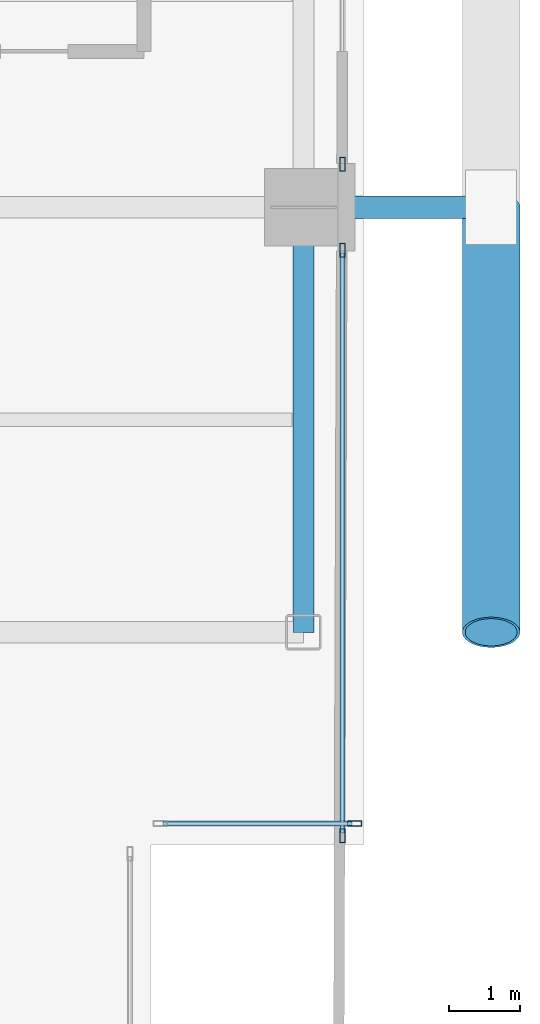
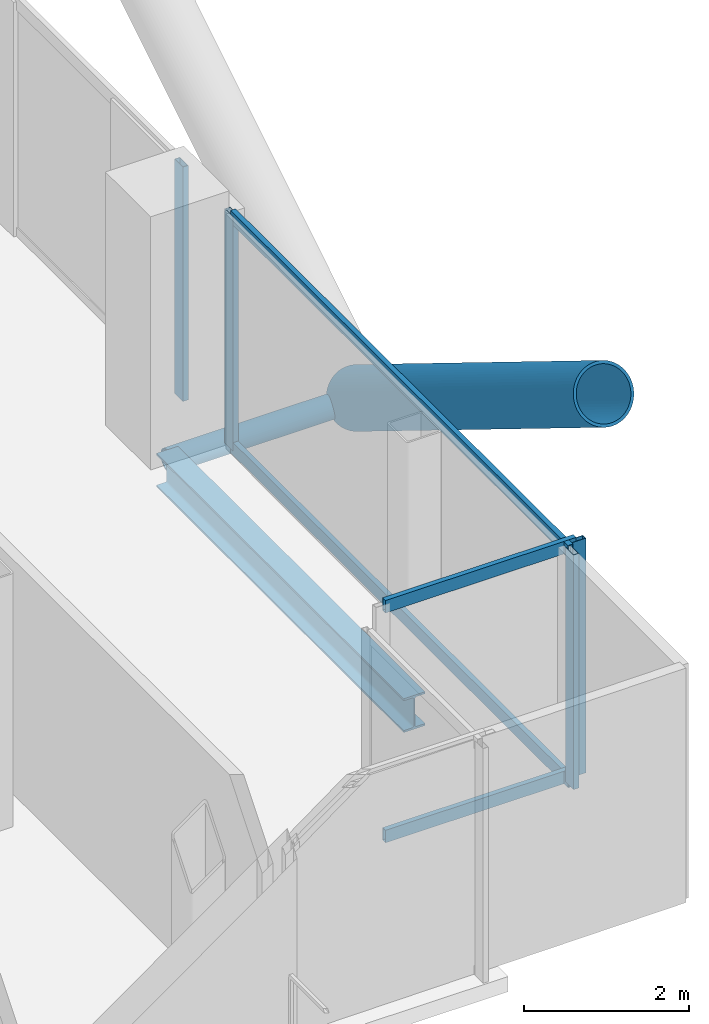
# One storey, part 12 of 28: 10 members, 1 beam, 3 elements without a shape of their own.
"""IFC4 building model written with IfcOpenShell, lengths in metres."""

from ifc_helpers import new_model, si_unit, direction, frame, origin, origin_2d, place, context, subcontext, project, spatial, hollow_rectangle, hollow_circle, i_section, extrude, material, layer, layer_set, material_profile, profile_set, type_object, element, aggregate, save


model = new_model("IFC4")

# Units and contexts
model_context = context("Model", 3, precision=1e-05, world=origin(), true_north=direction((0.0, 1.0)))
body_context = subcontext(model_context, "Body", "Model", "MODEL_VIEW")
ifc_project = project(units=[si_unit("LENGTHUNIT", "METRE"), si_unit("AREAUNIT", "SQUARE_METRE"), si_unit("VOLUMEUNIT", "CUBIC_METRE"), si_unit("PLANEANGLEUNIT", "RADIAN"), si_unit("MASSUNIT", "GRAM", prefix="KILO"), si_unit("THERMODYNAMICTEMPERATUREUNIT", "KELVIN"), si_unit("POWERUNIT", "WATT")], contexts=[model_context])

# Site, building, storey
site_placement = place(None, origin())
site = spatial("IfcSite", under=ifc_project, at=site_placement, CompositionType="ELEMENT")
building_placement = place(site_placement, origin())
building = spatial("IfcBuilding", under=site, at=building_placement, Name="Svarakhadi Broadcast Tower", CompositionType="ELEMENT")
storey_placement = place(building_placement, frame((0.0, 0.0, 107.10009765625)))
storey = spatial("IfcBuildingStorey", under=building, at=storey_placement, Name="L25", CompositionType="ELEMENT", Elevation=107.10009765625)

# Curtain wall, member
ifc_material_1 = material(Name="Anodised Bronze Aluminium AA 6063-T6", Category="aluminium")
ifc_layer = layer(ifc_material_1, 0.199951171875)
ifc_layer_set = layer_set([ifc_layer], Name="Anodised Bronze Aluminium AA 6063-T6")
curtain_wall_type = type_object("IfcCurtainWallType", Name="CW_Sys_03", PredefinedType="NOTDEFINED", material=ifc_layer_set)
curtain_wall_1_placement = place(storey_placement, origin())
curtain_wall_1 = element("IfcCurtainWall", 1, at=curtain_wall_1_placement, inside=storey, type_object=curtain_wall_type, Name="L25 Unitised Facade Curtain Wall 13 Bay 1", PredefinedType="NOTDEFINED")
ifc_material_profile_1 = material_profile(ifc_material_1, hollow_rectangle(XDim=0.074951171875, YDim=0.199951171875, WallThickness=0.005615234375, at=origin_2d()), Name="ALU MULLION 200x75x6")
ifc_profile_set_1 = profile_set([ifc_material_profile_1], Name="Anodised Bronze Aluminium AA 6063-T6")
member_type_1 = type_object("IfcMemberType", Name="CW_Sys_03_Mul", PredefinedType="MULLION", material=ifc_profile_set_1)
member_1_placement = place(storey_placement, frame((47.699951171875, 12.607421875, 0.0), z_axis=(0.0, 0.0, 1.0), x_axis=(1.0, 0.0, 0.0)))
member_1 = element("IfcMember", 2, at=member_1_placement, type_object=member_type_1, Name="CW-03 mullion 2", PredefinedType="MULLION", context=body_context, shape_type="SweptSolid", body=[
    extrude(hollow_rectangle(XDim=0.074951171875, YDim=0.199951171875, WallThickness=0.005615234375, at=origin_2d()), origin(), (0.0, 0.0, 1.0), 3.474853515625),
])
aggregate(curtain_wall_1, [member_1])

# Curtain wall, members
curtain_wall_2_placement = place(storey_placement, origin())
curtain_wall_2 = element("IfcCurtainWall", 3, at=curtain_wall_2_placement, inside=storey, type_object=curtain_wall_type, Name="L25 Unitised Facade Curtain Wall 13 Bay 2", PredefinedType="NOTDEFINED")
member_2_placement = place(storey_placement, frame((47.699951171875, 11.392578125, 0.0), z_axis=(0.0, 0.0, 1.0), x_axis=(1.0, 0.0, 0.0)))
member_2 = element("IfcMember", 4, at=member_2_placement, type_object=member_type_1, Name="CW-03 mullion 1", PredefinedType="MULLION", context=body_context, shape_type="SweptSolid", body=[
    extrude(hollow_rectangle(XDim=0.074951171875, YDim=0.199951171875, WallThickness=0.005615234375, at=origin_2d()), origin(), (0.0, 0.0, 1.0), 3.474853515625),
])
member_3_placement = place(storey_placement, frame((47.699951171875, 3.12744140625, 0.0), z_axis=(0.0, 0.0, 1.0), x_axis=(1.0, 0.0, 0.0)))
member_3 = element("IfcMember", 5, at=member_3_placement, type_object=member_type_1, Name="CW-03 mullion 2", PredefinedType="MULLION", context=body_context, shape_type="SweptSolid", body=[
    extrude(hollow_rectangle(XDim=0.074951171875, YDim=0.199951171875, WallThickness=0.005615234375, at=origin_2d()), origin(), (0.0, 0.0, 1.0), 3.474853515625),
])

# Curtain wall, member
curtain_wall_3_placement = place(storey_placement, origin())
curtain_wall_3 = element("IfcCurtainWall", 6, at=curtain_wall_3_placement, inside=storey, type_object=curtain_wall_type, Name="L25 Unitised Facade Curtain Wall 14", PredefinedType="NOTDEFINED")
member_4_placement = place(storey_placement, frame((47.87255859375, 3.300048828125, 0.0), z_axis=(0.0, 0.0, 1.0), x_axis=(0.0, -1.0, 0.0)))
member_4 = element("IfcMember", 7, at=member_4_placement, type_object=member_type_1, Name="CW-03 mullion 1", PredefinedType="MULLION", context=body_context, shape_type="SweptSolid", body=[
    extrude(hollow_rectangle(XDim=0.074951171875, YDim=0.199951171875, WallThickness=0.005615234375, at=origin_2d()), origin(), (0.0, 0.0, 1.0), 3.474853515625),
])

# Member
ifc_material_profile_2 = material_profile(ifc_material_1, hollow_rectangle(XDim=0.070068359375, YDim=0.18505859375, WallThickness=0.0048828125, at=origin_2d()), Name="ALU TRANSOM 185x70x5")
ifc_profile_set_2 = profile_set([ifc_material_profile_2], Name="Anodised Bronze Aluminium AA 6063-T6")
member_type_2 = type_object("IfcMemberType", Name="CW_Sys_03_Trn", PredefinedType="USERDEFINED", material=ifc_profile_set_2)
member_5_placement = place(storey_placement, frame((47.699951171875, 11.35498046875, 0.034912109375), z_axis=(0.0, -1.0, 0.0), x_axis=(1.0, 0.0, 0.0)))
member_5 = element("IfcMember", 8, at=member_5_placement, type_object=member_type_2, Name="CW-03 transom 1.1", ObjectType="TRANSOM", PredefinedType="USERDEFINED", context=body_context, shape_type="SweptSolid", body=[
    extrude(hollow_rectangle(XDim=0.070068359375, YDim=0.18505859375, WallThickness=0.0048828125, at=origin_2d()), origin(), (0.0, 0.0, 1.0), 8.18994140625),
])

member_6_placement = place(storey_placement, frame((47.699951171875, 11.35498046875, 3.43994140625), z_axis=(0.0, -1.0, 0.0), x_axis=(1.0, 0.0, 0.0)))
member_6 = element("IfcMember", 9, at=member_6_placement, type_object=member_type_2, Name="CW-03 transom 1.2", ObjectType="TRANSOM", PredefinedType="USERDEFINED", context=body_context, shape_type="SweptSolid", body=[
    extrude(hollow_rectangle(XDim=0.070068359375, YDim=0.18505859375, WallThickness=0.0048828125, at=origin_2d()), origin(), (0.0, 0.0, 1.0), 8.18994140625),
])

aggregate(curtain_wall_2, [member_2, member_3, member_5, member_6])

member_7_placement = place(storey_placement, frame((47.8349609375, 3.300048828125, 0.034912109375), z_axis=(-1.0, 0.0, 0.0), x_axis=(0.0, -1.0, 0.0)))
member_7 = element("IfcMember", 10, at=member_7_placement, type_object=member_type_2, Name="CW-03 transom 1.1", ObjectType="TRANSOM", PredefinedType="USERDEFINED", context=body_context, shape_type="SweptSolid", body=[
    extrude(hollow_rectangle(XDim=0.070068359375, YDim=0.18505859375, WallThickness=0.0048828125, at=origin_2d()), origin(), (0.0, 0.0, 1.0), 2.669921875),
])

member_8_placement = place(storey_placement, frame((47.8349609375, 3.300048828125, 3.43994140625), z_axis=(-1.0, 0.0, 0.0), x_axis=(0.0, -1.0, 0.0)))
member_8 = element("IfcMember", 11, at=member_8_placement, type_object=member_type_2, Name="CW-03 transom 1.2", ObjectType="TRANSOM", PredefinedType="USERDEFINED", context=body_context, shape_type="SweptSolid", body=[
    extrude(hollow_rectangle(XDim=0.070068359375, YDim=0.18505859375, WallThickness=0.0048828125, at=origin_2d()), origin(), (0.0, 0.0, 1.0), 2.669921875),
])

aggregate(curtain_wall_3, [member_4, member_7, member_8])

# Members
ifc_material_2 = material(Name="Steel S460ML (IS 2062 E450BR)", Category="steel")
ifc_material_profile_3 = material_profile(ifc_material_2, hollow_circle(Radius=0.406494140625, WallThickness=0.0400390625, at=origin_2d()), Name="CHS 813x40")
ifc_profile_set_3 = profile_set([ifc_material_profile_3], Name="Steel S460ML (IS 2062 E450BR)")
member_type_3 = type_object("IfcMemberType", Name="Exo_Brace_CHS813", PredefinedType="BRACE", material=ifc_profile_set_3)
member_9_placement = place(storey_placement, frame((49.800048828125, 12.0, -0.386962890625), z_axis=(0.0, -0.851173964427, 0.524883684525), x_axis=(1.0, 0.0, 0.0)))
element("IfcMember", 12, at=member_9_placement, inside=storey, type_object=member_type_3, Name="L25 Exposed Bronze Exoskeleton Diagonal E08", PredefinedType="BRACE", context=body_context, shape_type="SweptSolid", body=[
    extrude(hollow_circle(Radius=0.406494140625, WallThickness=0.0400390625, at=origin_2d()), origin(), (0.0, 0.0, 1.0), 7.049072265625),
])
ifc_material_profile_4 = material_profile(ifc_material_2, hollow_circle(Radius=0.161865234375, WallThickness=0.01611328125, at=origin_2d()), Name="CHS 323.9x16")
ifc_profile_set_4 = profile_set([ifc_material_profile_4], Name="Steel S460ML (IS 2062 E450BR)")
member_type_4 = type_object("IfcMemberType", Name="Exo_Radial_Strut_Z2", PredefinedType="STRUT", material=ifc_profile_set_4)
member_10_placement = place(storey_placement, frame((49.800048828125, 12.0, -0.386962890625), z_axis=(-1.0, 0.0, 0.0), x_axis=(0.0, -1.0, 0.0)))
element("IfcMember", 13, at=member_10_placement, inside=storey, type_object=member_type_4, Name="L25 Exoskeleton Radial Tie Strut E05", PredefinedType="STRUT", context=body_context, shape_type="SweptSolid", body=[
    extrude(hollow_circle(Radius=0.161865234375, WallThickness=0.01611328125, at=origin_2d()), origin(), (0.0, 0.0, 1.0), 2.650146484375),
])

# Beam
ifc_material_3 = material(Name="Steel S355J2 (IS 2062 E350C)", Category="steel")
ifc_material_profile_5 = material_profile(ifc_material_3, i_section(OverallWidth=0.300048828125, OverallDepth=0.5, WebThickness=0.014404296875, FlangeThickness=0.028076171875, FilletRadius=0.027099609375, at=origin_2d()), Name="WPB 500x300x187")
ifc_profile_set_5 = profile_set([ifc_material_profile_5], Name="Steel S355J2 (IS 2062 E350C)")
beam_type = type_object("IfcBeamType", Name="Girder_WPB500", PredefinedType="USERDEFINED", material=ifc_profile_set_5)
beam_placement = place(storey_placement, frame((47.14990234375, 6.0, -0.47509765625), z_axis=(0.0, 1.0, 0.0), x_axis=(-1.0, 0.0, 0.0)))
element("IfcBeam", 14, at=beam_placement, inside=storey, type_object=beam_type, Name="L25 Primary N-S Girder G073", ObjectType="GIRDER", PredefinedType="USERDEFINED", context=body_context, shape_type="SweptSolid", body=[
    extrude(i_section(OverallWidth=0.300048828125, OverallDepth=0.5, WebThickness=0.014404296875, FlangeThickness=0.028076171875, FilletRadius=0.027099609375, at=origin_2d()), origin(), (0.0, 0.0, 1.0), 6.0),
])

save(model, "model.ifc")
